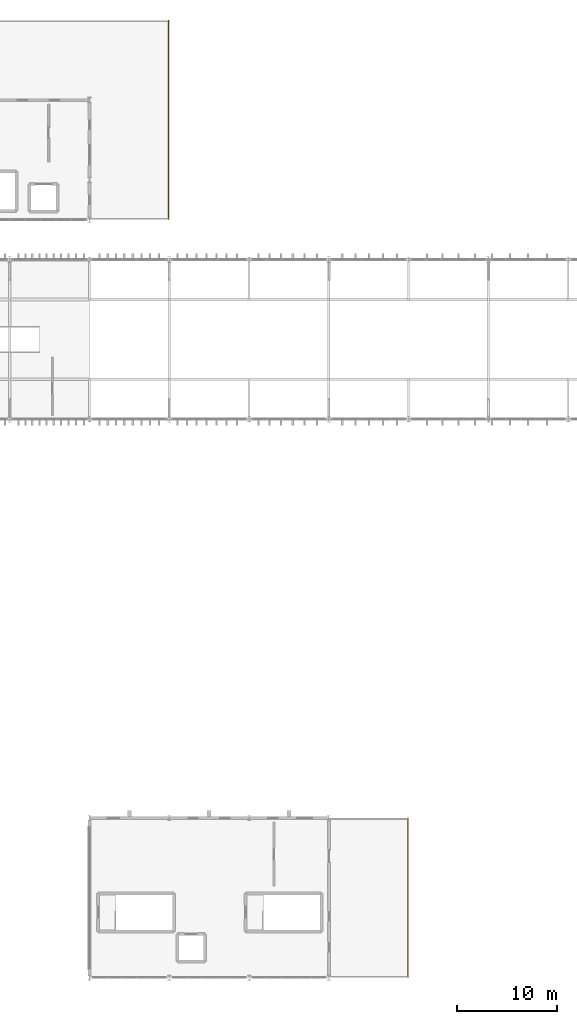
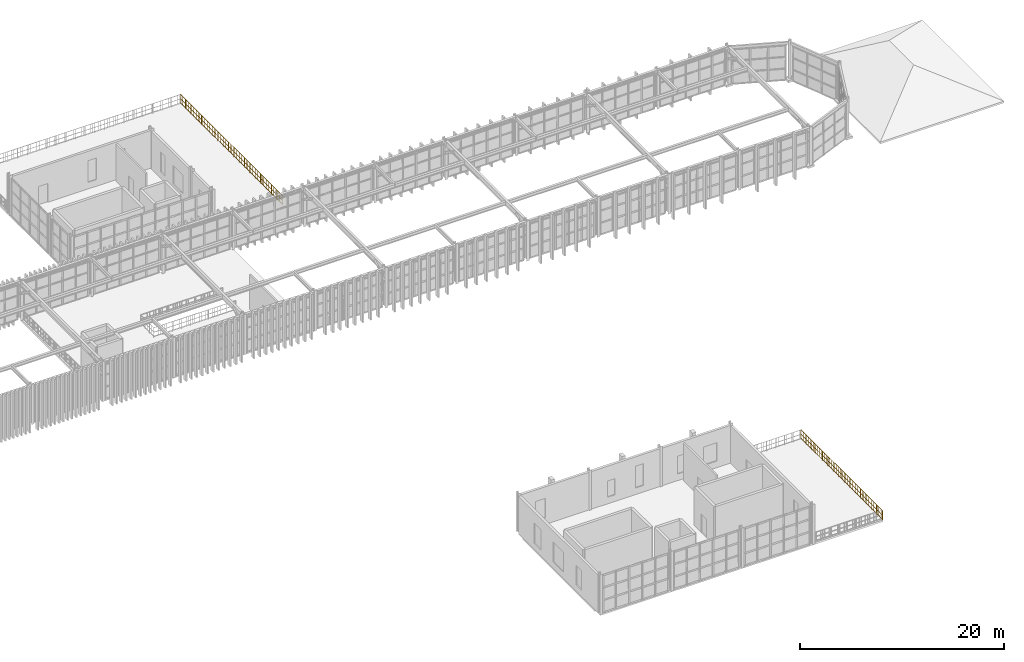
# One storey, part 60 of 61: 2 railings.
"""IFC4 building model written with IfcOpenShell, lengths in metres."""

from ifc_helpers import new_model, si_unit, direction, frame, origin, origin_2d, place, context, subcontext, project, spatial, rectangle, extrude, material, layer, layer_set, type_object, element, save


model = new_model("IFC4")

# Units and contexts
model_context = context("Model", 3, precision=1e-05, world=origin(), true_north=direction((0.0, 1.0)))
body_context = subcontext(model_context, "Body", "Model", "MODEL_VIEW")
ifc_project = project(units=[si_unit("LENGTHUNIT", "METRE"), si_unit("AREAUNIT", "SQUARE_METRE"), si_unit("VOLUMEUNIT", "CUBIC_METRE"), si_unit("PLANEANGLEUNIT", "RADIAN"), si_unit("MASSUNIT", "GRAM", prefix="KILO")], contexts=[model_context])

# Site, building, storey
site_placement = place(None, origin())
site = spatial("IfcSite", under=ifc_project, at=site_placement, CompositionType="ELEMENT")
building_placement = place(site_placement, origin())
building = spatial("IfcBuilding", under=site, at=building_placement, Name="Serraluz Foothill Cableway Terminal", CompositionType="ELEMENT")
storey_placement = place(building_placement, frame((0.0, 0.0, 15.0)))
storey = spatial("IfcBuildingStorey", under=building, at=storey_placement, Name="L03", CompositionType="ELEMENT", Elevation=15.0)

# Railings
ifc_material = material(Name="Steel ASTM A572 Grade 50", Category="steel")
ifc_layer = layer(ifc_material, 0.06005859375, Name="Steel ASTM A572 Grade 50", Category="steel")
ifc_layer_set = layer_set([ifc_layer], Name="Steel ASTM A572 Grade 50")
railing_type = type_object("IfcRailingType", Name="TYP-RL-BAL-1150", PredefinedType="BALUSTRADE", material=ifc_layer_set)
railing_1_placement = place(storey_placement, frame((127.919921875, 0.0, 0.0)))
element("IfcRailing", 1, at=railing_1_placement, inside=storey, type_object=railing_type, Name="BALUSTRADE BAL-TER-L03-V3-2", PredefinedType="BALUSTRADE", context=body_context, shape_type="SweptSolid", body=[
    extrude(rectangle(XDim=0.048095703125, YDim=0.048095703125, at=origin_2d()), frame((0.0, 0.0, 1.1259765625), z_axis=(0.0, 1.0, 0.0), x_axis=(-1.0, 0.0, 0.0)), (0.0, 0.0, 1.0), 16.0),
    extrude(rectangle(XDim=0.048095703125, YDim=0.048095703125, at=origin_2d()), frame((0.0, 0.0, 0.597900390625), z_axis=(0.0, 1.0, 0.0), x_axis=(-1.0, 0.0, 0.0)), (0.0, 0.0, 1.0), 16.0),
    extrude(rectangle(XDim=0.048095703125, YDim=0.048095703125, at=origin_2d()), frame((0.0, 0.0, 0.1201171875), z_axis=(0.0, 1.0, 0.0), x_axis=(-1.0, 0.0, 0.0)), (0.0, 0.0, 1.0), 16.0),
    extrude(rectangle(XDim=0.02001953125, YDim=0.02001953125, at=origin_2d()), frame((0.0, 0.242431640625, 0.1201171875)), (0.0, 0.0, 1.0), 0.981689453125),
    extrude(rectangle(XDim=0.02001953125, YDim=0.02001953125, at=origin_2d()), frame((0.0, 0.48486328125, 0.1201171875)), (0.0, 0.0, 1.0), 0.981689453125),
    extrude(rectangle(XDim=0.02001953125, YDim=0.02001953125, at=origin_2d()), frame((0.0, 0.727294921875, 0.1201171875)), (0.0, 0.0, 1.0), 0.981689453125),
    extrude(rectangle(XDim=0.02001953125, YDim=0.02001953125, at=origin_2d()), frame((0.0, 0.9697265625, 0.1201171875)), (0.0, 0.0, 1.0), 0.981689453125),
    extrude(rectangle(XDim=0.02001953125, YDim=0.02001953125, at=origin_2d()), frame((0.0, 1.212158203125, 0.1201171875)), (0.0, 0.0, 1.0), 0.981689453125),
    extrude(rectangle(XDim=0.02001953125, YDim=0.02001953125, at=origin_2d()), frame((0.0, 1.45458984375, 0.1201171875)), (0.0, 0.0, 1.0), 0.981689453125),
    extrude(rectangle(XDim=0.02001953125, YDim=0.02001953125, at=origin_2d()), frame((0.0, 1.697021484375, 0.1201171875)), (0.0, 0.0, 1.0), 0.981689453125),
    extrude(rectangle(XDim=0.02001953125, YDim=0.02001953125, at=origin_2d()), frame((0.0, 1.939453125, 0.1201171875)), (0.0, 0.0, 1.0), 0.981689453125),
    extrude(rectangle(XDim=0.02001953125, YDim=0.02001953125, at=origin_2d()), frame((0.0, 2.42431640625, 0.1201171875)), (0.0, 0.0, 1.0), 0.981689453125),
    extrude(rectangle(XDim=0.02001953125, YDim=0.02001953125, at=origin_2d()), frame((0.0, 2.666748046875, 0.1201171875)), (0.0, 0.0, 1.0), 0.981689453125),
    extrude(rectangle(XDim=0.02001953125, YDim=0.02001953125, at=origin_2d()), frame((0.0, 2.9091796875, 0.1201171875)), (0.0, 0.0, 1.0), 0.981689453125),
    extrude(rectangle(XDim=0.02001953125, YDim=0.02001953125, at=origin_2d()), frame((0.0, 3.39404296875, 0.1201171875)), (0.0, 0.0, 1.0), 0.981689453125),
    extrude(rectangle(XDim=0.02001953125, YDim=0.02001953125, at=origin_2d()), frame((0.0, 3.636474609375, 0.1201171875)), (0.0, 0.0, 1.0), 0.981689453125),
    extrude(rectangle(XDim=0.02001953125, YDim=0.02001953125, at=origin_2d()), frame((0.0, 3.87890625, 0.1201171875)), (0.0, 0.0, 1.0), 0.981689453125),
    extrude(rectangle(XDim=0.02001953125, YDim=0.02001953125, at=origin_2d()), frame((0.0, 4.12109375, 0.1201171875)), (0.0, 0.0, 1.0), 0.981689453125),
    extrude(rectangle(XDim=0.02001953125, YDim=0.02001953125, at=origin_2d()), frame((0.0, 4.363525390625, 0.1201171875)), (0.0, 0.0, 1.0), 0.981689453125),
    extrude(rectangle(XDim=0.02001953125, YDim=0.02001953125, at=origin_2d()), frame((0.0, 4.60595703125, 0.1201171875)), (0.0, 0.0, 1.0), 0.981689453125),
    extrude(rectangle(XDim=0.02001953125, YDim=0.02001953125, at=origin_2d()), frame((0.0, 4.848388671875, 0.1201171875)), (0.0, 0.0, 1.0), 0.981689453125),
    extrude(rectangle(XDim=0.02001953125, YDim=0.02001953125, at=origin_2d()), frame((0.0, 5.0908203125, 0.1201171875)), (0.0, 0.0, 1.0), 0.981689453125),
    extrude(rectangle(XDim=0.02001953125, YDim=0.02001953125, at=origin_2d()), frame((0.0, 5.57568359375, 0.1201171875)), (0.0, 0.0, 1.0), 0.981689453125),
    extrude(rectangle(XDim=0.02001953125, YDim=0.02001953125, at=origin_2d()), frame((0.0, 5.818115234375, 0.1201171875)), (0.0, 0.0, 1.0), 0.981689453125),
    extrude(rectangle(XDim=0.02001953125, YDim=0.02001953125, at=origin_2d()), frame((0.0, 6.060546875, 0.1201171875)), (0.0, 0.0, 1.0), 0.981689453125),
    extrude(rectangle(XDim=0.02001953125, YDim=0.02001953125, at=origin_2d()), frame((0.0, 6.302978515625, 0.1201171875)), (0.0, 0.0, 1.0), 0.981689453125),
    extrude(rectangle(XDim=0.02001953125, YDim=0.02001953125, at=origin_2d()), frame((0.0, 6.54541015625, 0.1201171875)), (0.0, 0.0, 1.0), 0.981689453125),
    extrude(rectangle(XDim=0.02001953125, YDim=0.02001953125, at=origin_2d()), frame((0.0, 6.787841796875, 0.1201171875)), (0.0, 0.0, 1.0), 0.981689453125),
    extrude(rectangle(XDim=0.02001953125, YDim=0.02001953125, at=origin_2d()), frame((0.0, 7.0302734375, 0.1201171875)), (0.0, 0.0, 1.0), 0.981689453125),
    extrude(rectangle(XDim=0.02001953125, YDim=0.02001953125, at=origin_2d()), frame((0.0, 7.272705078125, 0.1201171875)), (0.0, 0.0, 1.0), 0.981689453125),
    extrude(rectangle(XDim=0.02001953125, YDim=0.02001953125, at=origin_2d()), frame((0.0, 7.757568359375, 0.1201171875)), (0.0, 0.0, 1.0), 0.981689453125),
    extrude(rectangle(XDim=0.02001953125, YDim=0.02001953125, at=origin_2d()), frame((0.0, 8.0, 0.1201171875)), (0.0, 0.0, 1.0), 0.981689453125),
    extrude(rectangle(XDim=0.02001953125, YDim=0.02001953125, at=origin_2d()), frame((0.0, 8.242431640625, 0.1201171875)), (0.0, 0.0, 1.0), 0.981689453125),
    extrude(rectangle(XDim=0.02001953125, YDim=0.02001953125, at=origin_2d()), frame((0.0, 8.727294921875, 0.1201171875)), (0.0, 0.0, 1.0), 0.981689453125),
    extrude(rectangle(XDim=0.02001953125, YDim=0.02001953125, at=origin_2d()), frame((0.0, 8.9697265625, 0.1201171875)), (0.0, 0.0, 1.0), 0.981689453125),
    extrude(rectangle(XDim=0.02001953125, YDim=0.02001953125, at=origin_2d()), frame((0.0, 9.212158203125, 0.1201171875)), (0.0, 0.0, 1.0), 0.981689453125),
    extrude(rectangle(XDim=0.02001953125, YDim=0.02001953125, at=origin_2d()), frame((0.0, 9.45458984375, 0.1201171875)), (0.0, 0.0, 1.0), 0.981689453125),
    extrude(rectangle(XDim=0.02001953125, YDim=0.02001953125, at=origin_2d()), frame((0.0, 9.697021484375, 0.1201171875)), (0.0, 0.0, 1.0), 0.981689453125),
    extrude(rectangle(XDim=0.02001953125, YDim=0.02001953125, at=origin_2d()), frame((0.0, 9.939453125, 0.1201171875)), (0.0, 0.0, 1.0), 0.981689453125),
    extrude(rectangle(XDim=0.02001953125, YDim=0.02001953125, at=origin_2d()), frame((0.0, 10.181884765625, 0.1201171875)), (0.0, 0.0, 1.0), 0.981689453125),
    extrude(rectangle(XDim=0.02001953125, YDim=0.02001953125, at=origin_2d()), frame((0.0, 10.42431640625, 0.1201171875)), (0.0, 0.0, 1.0), 0.981689453125),
    extrude(rectangle(XDim=0.02001953125, YDim=0.02001953125, at=origin_2d()), frame((0.0, 10.9091796875, 0.1201171875)), (0.0, 0.0, 1.0), 0.981689453125),
    extrude(rectangle(XDim=0.02001953125, YDim=0.02001953125, at=origin_2d()), frame((0.0, 11.151611328125, 0.1201171875)), (0.0, 0.0, 1.0), 0.981689453125),
    extrude(rectangle(XDim=0.02001953125, YDim=0.02001953125, at=origin_2d()), frame((0.0, 11.39404296875, 0.1201171875)), (0.0, 0.0, 1.0), 0.981689453125),
    extrude(rectangle(XDim=0.02001953125, YDim=0.02001953125, at=origin_2d()), frame((0.0, 11.636474609375, 0.1201171875)), (0.0, 0.0, 1.0), 0.981689453125),
    extrude(rectangle(XDim=0.02001953125, YDim=0.02001953125, at=origin_2d()), frame((0.0, 11.87890625, 0.1201171875)), (0.0, 0.0, 1.0), 0.981689453125),
    extrude(rectangle(XDim=0.02001953125, YDim=0.02001953125, at=origin_2d()), frame((0.0, 12.12109375, 0.1201171875)), (0.0, 0.0, 1.0), 0.981689453125),
    extrude(rectangle(XDim=0.02001953125, YDim=0.02001953125, at=origin_2d()), frame((0.0, 12.363525390625, 0.1201171875)), (0.0, 0.0, 1.0), 0.981689453125),
    extrude(rectangle(XDim=0.02001953125, YDim=0.02001953125, at=origin_2d()), frame((0.0, 12.60595703125, 0.1201171875)), (0.0, 0.0, 1.0), 0.981689453125),
    extrude(rectangle(XDim=0.02001953125, YDim=0.02001953125, at=origin_2d()), frame((0.0, 13.0908203125, 0.1201171875)), (0.0, 0.0, 1.0), 0.981689453125),
    extrude(rectangle(XDim=0.02001953125, YDim=0.02001953125, at=origin_2d()), frame((0.0, 13.333251953125, 0.1201171875)), (0.0, 0.0, 1.0), 0.981689453125),
    extrude(rectangle(XDim=0.02001953125, YDim=0.02001953125, at=origin_2d()), frame((0.0, 13.57568359375, 0.1201171875)), (0.0, 0.0, 1.0), 0.981689453125),
    extrude(rectangle(XDim=0.02001953125, YDim=0.02001953125, at=origin_2d()), frame((0.0, 14.060546875, 0.1201171875)), (0.0, 0.0, 1.0), 0.981689453125),
    extrude(rectangle(XDim=0.02001953125, YDim=0.02001953125, at=origin_2d()), frame((0.0, 14.302978515625, 0.1201171875)), (0.0, 0.0, 1.0), 0.981689453125),
    extrude(rectangle(XDim=0.02001953125, YDim=0.02001953125, at=origin_2d()), frame((0.0, 14.54541015625, 0.1201171875)), (0.0, 0.0, 1.0), 0.981689453125),
    extrude(rectangle(XDim=0.02001953125, YDim=0.02001953125, at=origin_2d()), frame((0.0, 14.787841796875, 0.1201171875)), (0.0, 0.0, 1.0), 0.981689453125),
    extrude(rectangle(XDim=0.02001953125, YDim=0.02001953125, at=origin_2d()), frame((0.0, 15.0302734375, 0.1201171875)), (0.0, 0.0, 1.0), 0.981689453125),
    extrude(rectangle(XDim=0.02001953125, YDim=0.02001953125, at=origin_2d()), frame((0.0, 15.272705078125, 0.1201171875)), (0.0, 0.0, 1.0), 0.981689453125),
    extrude(rectangle(XDim=0.02001953125, YDim=0.02001953125, at=origin_2d()), frame((0.0, 15.51513671875, 0.1201171875)), (0.0, 0.0, 1.0), 0.981689453125),
    extrude(rectangle(XDim=0.02001953125, YDim=0.02001953125, at=origin_2d()), frame((0.0, 15.757568359375, 0.1201171875)), (0.0, 0.0, 1.0), 0.981689453125),
    extrude(rectangle(XDim=0.0439453125, YDim=0.0439453125, at=origin_2d()), origin(), (0.0, 0.0, 1.0), 1.101806640625),
    extrude(rectangle(XDim=0.0439453125, YDim=0.0439453125, at=origin_2d()), frame((0.0, 1.066650390625, 0.0)), (0.0, 0.0, 1.0), 1.101806640625),
    extrude(rectangle(XDim=0.0439453125, YDim=0.0439453125, at=origin_2d()), frame((0.0, 2.13330078125, 0.0)), (0.0, 0.0, 1.0), 1.101806640625),
    extrude(rectangle(XDim=0.0439453125, YDim=0.0439453125, at=origin_2d()), frame((0.0, 3.199951171875, 0.0)), (0.0, 0.0, 1.0), 1.101806640625),
    extrude(rectangle(XDim=0.0439453125, YDim=0.0439453125, at=origin_2d()), frame((0.0, 4.2666015625, 0.0)), (0.0, 0.0, 1.0), 1.101806640625),
    extrude(rectangle(XDim=0.0439453125, YDim=0.0439453125, at=origin_2d()), frame((0.0, 5.333251953125, 0.0)), (0.0, 0.0, 1.0), 1.101806640625),
    extrude(rectangle(XDim=0.0439453125, YDim=0.0439453125, at=origin_2d()), frame((0.0, 6.39990234375, 0.0)), (0.0, 0.0, 1.0), 1.101806640625),
    extrude(rectangle(XDim=0.0439453125, YDim=0.0439453125, at=origin_2d()), frame((0.0, 7.466552734375, 0.0)), (0.0, 0.0, 1.0), 1.101806640625),
    extrude(rectangle(XDim=0.0439453125, YDim=0.0439453125, at=origin_2d()), frame((0.0, 8.533447265625, 0.0)), (0.0, 0.0, 1.0), 1.101806640625),
    extrude(rectangle(XDim=0.0439453125, YDim=0.0439453125, at=origin_2d()), frame((0.0, 9.60009765625, 0.0)), (0.0, 0.0, 1.0), 1.101806640625),
    extrude(rectangle(XDim=0.0439453125, YDim=0.0439453125, at=origin_2d()), frame((0.0, 10.666748046875, 0.0)), (0.0, 0.0, 1.0), 1.101806640625),
    extrude(rectangle(XDim=0.0439453125, YDim=0.0439453125, at=origin_2d()), frame((0.0, 11.7333984375, 0.0)), (0.0, 0.0, 1.0), 1.101806640625),
    extrude(rectangle(XDim=0.0439453125, YDim=0.0439453125, at=origin_2d()), frame((0.0, 12.800048828125, 0.0)), (0.0, 0.0, 1.0), 1.101806640625),
    extrude(rectangle(XDim=0.0439453125, YDim=0.0439453125, at=origin_2d()), frame((0.0, 13.86669921875, 0.0)), (0.0, 0.0, 1.0), 1.101806640625),
    extrude(rectangle(XDim=0.0439453125, YDim=0.0439453125, at=origin_2d()), frame((0.0, 14.933349609375, 0.0)), (0.0, 0.0, 1.0), 1.101806640625),
    extrude(rectangle(XDim=0.0439453125, YDim=0.0439453125, at=origin_2d()), frame((0.0, 16.0, 0.0)), (0.0, 0.0, 1.0), 1.101806640625),
])
railing_2_placement = place(storey_placement, frame((103.920166015625, 76.0048828125, 0.0)))
element("IfcRailing", 2, at=railing_2_placement, inside=storey, type_object=railing_type, Name="BALUSTRADE BAL-TER-L03-V4-2", PredefinedType="BALUSTRADE", context=body_context, shape_type="SweptSolid", body=[
    extrude(rectangle(XDim=0.048095703125, YDim=0.048095703125, at=origin_2d()), frame((0.0, 0.0, 1.1259765625), z_axis=(0.0, 1.0, 0.0), x_axis=(-1.0, 0.0, 0.0)), (0.0, 0.0, 1.0), 20.0),
    extrude(rectangle(XDim=0.048095703125, YDim=0.048095703125, at=origin_2d()), frame((0.0, 0.0, 0.597900390625), z_axis=(0.0, 1.0, 0.0), x_axis=(-1.0, 0.0, 0.0)), (0.0, 0.0, 1.0), 20.0),
    extrude(rectangle(XDim=0.048095703125, YDim=0.048095703125, at=origin_2d()), frame((0.0, 0.0, 0.1201171875), z_axis=(0.0, 1.0, 0.0), x_axis=(-1.0, 0.0, 0.0)), (0.0, 0.0, 1.0), 20.0),
    extrude(rectangle(XDim=0.02001953125, YDim=0.02001953125, at=origin_2d()), frame((0.0, 0.240966796875, 0.1201171875)), (0.0, 0.0, 1.0), 0.981689453125),
    extrude(rectangle(XDim=0.02001953125, YDim=0.02001953125, at=origin_2d()), frame((0.0, 0.48193359375, 0.1201171875)), (0.0, 0.0, 1.0), 0.981689453125),
    extrude(rectangle(XDim=0.02001953125, YDim=0.02001953125, at=origin_2d()), frame((0.0, 0.722900390625, 0.1201171875)), (0.0, 0.0, 1.0), 0.981689453125),
    extrude(rectangle(XDim=0.02001953125, YDim=0.02001953125, at=origin_2d()), frame((0.0, 0.9638671875, 0.1201171875)), (0.0, 0.0, 1.0), 0.981689453125),
    extrude(rectangle(XDim=0.02001953125, YDim=0.02001953125, at=origin_2d()), frame((0.0, 1.204833984375, 0.1201171875)), (0.0, 0.0, 1.0), 0.981689453125),
    extrude(rectangle(XDim=0.02001953125, YDim=0.02001953125, at=origin_2d()), frame((0.0, 1.44580078125, 0.1201171875)), (0.0, 0.0, 1.0), 0.981689453125),
    extrude(rectangle(XDim=0.02001953125, YDim=0.02001953125, at=origin_2d()), frame((0.0, 1.686767578125, 0.1201171875)), (0.0, 0.0, 1.0), 0.981689453125),
    extrude(rectangle(XDim=0.02001953125, YDim=0.02001953125, at=origin_2d()), frame((0.0, 1.927734375, 0.1201171875)), (0.0, 0.0, 1.0), 0.981689453125),
    extrude(rectangle(XDim=0.02001953125, YDim=0.02001953125, at=origin_2d()), frame((0.0, 2.168701171875, 0.1201171875)), (0.0, 0.0, 1.0), 0.981689453125),
    extrude(rectangle(XDim=0.02001953125, YDim=0.02001953125, at=origin_2d()), frame((0.0, 2.40966796875, 0.1201171875)), (0.0, 0.0, 1.0), 0.981689453125),
    extrude(rectangle(XDim=0.02001953125, YDim=0.02001953125, at=origin_2d()), frame((0.0, 2.650634765625, 0.1201171875)), (0.0, 0.0, 1.0), 0.981689453125),
    extrude(rectangle(XDim=0.02001953125, YDim=0.02001953125, at=origin_2d()), frame((0.0, 2.8916015625, 0.1201171875)), (0.0, 0.0, 1.0), 0.981689453125),
    extrude(rectangle(XDim=0.02001953125, YDim=0.02001953125, at=origin_2d()), frame((0.0, 3.37353515625, 0.1201171875)), (0.0, 0.0, 1.0), 0.981689453125),
    extrude(rectangle(XDim=0.02001953125, YDim=0.02001953125, at=origin_2d()), frame((0.0, 3.614501953125, 0.1201171875)), (0.0, 0.0, 1.0), 0.981689453125),
    extrude(rectangle(XDim=0.02001953125, YDim=0.02001953125, at=origin_2d()), frame((0.0, 3.85546875, 0.1201171875)), (0.0, 0.0, 1.0), 0.981689453125),
    extrude(rectangle(XDim=0.02001953125, YDim=0.02001953125, at=origin_2d()), frame((0.0, 4.096435546875, 0.1201171875)), (0.0, 0.0, 1.0), 0.981689453125),
    extrude(rectangle(XDim=0.02001953125, YDim=0.02001953125, at=origin_2d()), frame((0.0, 4.33740234375, 0.1201171875)), (0.0, 0.0, 1.0), 0.981689453125),
    extrude(rectangle(XDim=0.02001953125, YDim=0.02001953125, at=origin_2d()), frame((0.0, 4.578369140625, 0.1201171875)), (0.0, 0.0, 1.0), 0.981689453125),
    extrude(rectangle(XDim=0.02001953125, YDim=0.02001953125, at=origin_2d()), frame((0.0, 4.8193359375, 0.1201171875)), (0.0, 0.0, 1.0), 0.981689453125),
    extrude(rectangle(XDim=0.02001953125, YDim=0.02001953125, at=origin_2d()), frame((0.0, 5.060302734375, 0.1201171875)), (0.0, 0.0, 1.0), 0.981689453125),
    extrude(rectangle(XDim=0.02001953125, YDim=0.02001953125, at=origin_2d()), frame((0.0, 5.542236328125, 0.1201171875)), (0.0, 0.0, 1.0), 0.981689453125),
    extrude(rectangle(XDim=0.02001953125, YDim=0.02001953125, at=origin_2d()), frame((0.0, 5.783203125, 0.1201171875)), (0.0, 0.0, 1.0), 0.981689453125),
    extrude(rectangle(XDim=0.02001953125, YDim=0.02001953125, at=origin_2d()), frame((0.0, 6.024169921875, 0.1201171875)), (0.0, 0.0, 1.0), 0.981689453125),
    extrude(rectangle(XDim=0.02001953125, YDim=0.02001953125, at=origin_2d()), frame((0.0, 6.506103515625, 0.1201171875)), (0.0, 0.0, 1.0), 0.981689453125),
    extrude(rectangle(XDim=0.02001953125, YDim=0.02001953125, at=origin_2d()), frame((0.0, 6.7470703125, 0.1201171875)), (0.0, 0.0, 1.0), 0.981689453125),
    extrude(rectangle(XDim=0.02001953125, YDim=0.02001953125, at=origin_2d()), frame((0.0, 6.988037109375, 0.1201171875)), (0.0, 0.0, 1.0), 0.981689453125),
    extrude(rectangle(XDim=0.02001953125, YDim=0.02001953125, at=origin_2d()), frame((0.0, 7.22900390625, 0.1201171875)), (0.0, 0.0, 1.0), 0.981689453125),
    extrude(rectangle(XDim=0.02001953125, YDim=0.02001953125, at=origin_2d()), frame((0.0, 7.469970703125, 0.1201171875)), (0.0, 0.0, 1.0), 0.981689453125),
    extrude(rectangle(XDim=0.02001953125, YDim=0.02001953125, at=origin_2d()), frame((0.0, 7.7109375, 0.1201171875)), (0.0, 0.0, 1.0), 0.981689453125),
    extrude(rectangle(XDim=0.02001953125, YDim=0.02001953125, at=origin_2d()), frame((0.0, 7.951904296875, 0.1201171875)), (0.0, 0.0, 1.0), 0.981689453125),
    extrude(rectangle(XDim=0.02001953125, YDim=0.02001953125, at=origin_2d()), frame((0.0, 8.19287109375, 0.1201171875)), (0.0, 0.0, 1.0), 0.981689453125),
    extrude(rectangle(XDim=0.02001953125, YDim=0.02001953125, at=origin_2d()), frame((0.0, 8.6748046875, 0.1201171875)), (0.0, 0.0, 1.0), 0.981689453125),
    extrude(rectangle(XDim=0.02001953125, YDim=0.02001953125, at=origin_2d()), frame((0.0, 8.915771484375, 0.1201171875)), (0.0, 0.0, 1.0), 0.981689453125),
    extrude(rectangle(XDim=0.02001953125, YDim=0.02001953125, at=origin_2d()), frame((0.0, 9.15673828125, 0.1201171875)), (0.0, 0.0, 1.0), 0.981689453125),
    extrude(rectangle(XDim=0.02001953125, YDim=0.02001953125, at=origin_2d()), frame((0.0, 9.397705078125, 0.1201171875)), (0.0, 0.0, 1.0), 0.981689453125),
    extrude(rectangle(XDim=0.02001953125, YDim=0.02001953125, at=origin_2d()), frame((0.0, 9.638671875, 0.1201171875)), (0.0, 0.0, 1.0), 0.981689453125),
    extrude(rectangle(XDim=0.02001953125, YDim=0.02001953125, at=origin_2d()), frame((0.0, 9.879638671875, 0.1201171875)), (0.0, 0.0, 1.0), 0.981689453125),
    extrude(rectangle(XDim=0.02001953125, YDim=0.02001953125, at=origin_2d()), frame((0.0, 10.120361328125, 0.1201171875)), (0.0, 0.0, 1.0), 0.981689453125),
    extrude(rectangle(XDim=0.02001953125, YDim=0.02001953125, at=origin_2d()), frame((0.0, 10.361328125, 0.1201171875)), (0.0, 0.0, 1.0), 0.981689453125),
    extrude(rectangle(XDim=0.02001953125, YDim=0.02001953125, at=origin_2d()), frame((0.0, 10.602294921875, 0.1201171875)), (0.0, 0.0, 1.0), 0.981689453125),
    extrude(rectangle(XDim=0.02001953125, YDim=0.02001953125, at=origin_2d()), frame((0.0, 10.84326171875, 0.1201171875)), (0.0, 0.0, 1.0), 0.981689453125),
    extrude(rectangle(XDim=0.02001953125, YDim=0.02001953125, at=origin_2d()), frame((0.0, 11.084228515625, 0.1201171875)), (0.0, 0.0, 1.0), 0.981689453125),
    extrude(rectangle(XDim=0.02001953125, YDim=0.02001953125, at=origin_2d()), frame((0.0, 11.3251953125, 0.1201171875)), (0.0, 0.0, 1.0), 0.981689453125),
    extrude(rectangle(XDim=0.02001953125, YDim=0.02001953125, at=origin_2d()), frame((0.0, 11.80712890625, 0.1201171875)), (0.0, 0.0, 1.0), 0.981689453125),
    extrude(rectangle(XDim=0.02001953125, YDim=0.02001953125, at=origin_2d()), frame((0.0, 12.048095703125, 0.1201171875)), (0.0, 0.0, 1.0), 0.981689453125),
    extrude(rectangle(XDim=0.02001953125, YDim=0.02001953125, at=origin_2d()), frame((0.0, 12.2890625, 0.1201171875)), (0.0, 0.0, 1.0), 0.981689453125),
    extrude(rectangle(XDim=0.02001953125, YDim=0.02001953125, at=origin_2d()), frame((0.0, 12.530029296875, 0.1201171875)), (0.0, 0.0, 1.0), 0.981689453125),
    extrude(rectangle(XDim=0.02001953125, YDim=0.02001953125, at=origin_2d()), frame((0.0, 12.77099609375, 0.1201171875)), (0.0, 0.0, 1.0), 0.981689453125),
    extrude(rectangle(XDim=0.02001953125, YDim=0.02001953125, at=origin_2d()), frame((0.0, 13.011962890625, 0.1201171875)), (0.0, 0.0, 1.0), 0.981689453125),
    extrude(rectangle(XDim=0.02001953125, YDim=0.02001953125, at=origin_2d()), frame((0.0, 13.2529296875, 0.1201171875)), (0.0, 0.0, 1.0), 0.981689453125),
    extrude(rectangle(XDim=0.02001953125, YDim=0.02001953125, at=origin_2d()), frame((0.0, 13.493896484375, 0.1201171875)), (0.0, 0.0, 1.0), 0.981689453125),
    extrude(rectangle(XDim=0.02001953125, YDim=0.02001953125, at=origin_2d()), frame((0.0, 13.975830078125, 0.1201171875)), (0.0, 0.0, 1.0), 0.981689453125),
    extrude(rectangle(XDim=0.02001953125, YDim=0.02001953125, at=origin_2d()), frame((0.0, 14.216796875, 0.1201171875)), (0.0, 0.0, 1.0), 0.981689453125),
    extrude(rectangle(XDim=0.02001953125, YDim=0.02001953125, at=origin_2d()), frame((0.0, 14.457763671875, 0.1201171875)), (0.0, 0.0, 1.0), 0.981689453125),
    extrude(rectangle(XDim=0.02001953125, YDim=0.02001953125, at=origin_2d()), frame((0.0, 14.939697265625, 0.1201171875)), (0.0, 0.0, 1.0), 0.981689453125),
    extrude(rectangle(XDim=0.02001953125, YDim=0.02001953125, at=origin_2d()), frame((0.0, 15.1806640625, 0.1201171875)), (0.0, 0.0, 1.0), 0.981689453125),
    extrude(rectangle(XDim=0.02001953125, YDim=0.02001953125, at=origin_2d()), frame((0.0, 15.421630859375, 0.1201171875)), (0.0, 0.0, 1.0), 0.981689453125),
    extrude(rectangle(XDim=0.02001953125, YDim=0.02001953125, at=origin_2d()), frame((0.0, 15.66259765625, 0.1201171875)), (0.0, 0.0, 1.0), 0.981689453125),
    extrude(rectangle(XDim=0.02001953125, YDim=0.02001953125, at=origin_2d()), frame((0.0, 15.903564453125, 0.1201171875)), (0.0, 0.0, 1.0), 0.981689453125),
    extrude(rectangle(XDim=0.02001953125, YDim=0.02001953125, at=origin_2d()), frame((0.0, 16.14453125, 0.1201171875)), (0.0, 0.0, 1.0), 0.981689453125),
    extrude(rectangle(XDim=0.02001953125, YDim=0.02001953125, at=origin_2d()), frame((0.0, 16.385498046875, 0.1201171875)), (0.0, 0.0, 1.0), 0.981689453125),
    extrude(rectangle(XDim=0.02001953125, YDim=0.02001953125, at=origin_2d()), frame((0.0, 16.62646484375, 0.1201171875)), (0.0, 0.0, 1.0), 0.981689453125),
    extrude(rectangle(XDim=0.02001953125, YDim=0.02001953125, at=origin_2d()), frame((0.0, 17.1083984375, 0.1201171875)), (0.0, 0.0, 1.0), 0.981689453125),
    extrude(rectangle(XDim=0.02001953125, YDim=0.02001953125, at=origin_2d()), frame((0.0, 17.349365234375, 0.1201171875)), (0.0, 0.0, 1.0), 0.981689453125),
    extrude(rectangle(XDim=0.02001953125, YDim=0.02001953125, at=origin_2d()), frame((0.0, 17.59033203125, 0.1201171875)), (0.0, 0.0, 1.0), 0.981689453125),
    extrude(rectangle(XDim=0.02001953125, YDim=0.02001953125, at=origin_2d()), frame((0.0, 17.831298828125, 0.1201171875)), (0.0, 0.0, 1.0), 0.981689453125),
    extrude(rectangle(XDim=0.02001953125, YDim=0.02001953125, at=origin_2d()), frame((0.0, 18.072265625, 0.1201171875)), (0.0, 0.0, 1.0), 0.981689453125),
    extrude(rectangle(XDim=0.02001953125, YDim=0.02001953125, at=origin_2d()), frame((0.0, 18.313232421875, 0.1201171875)), (0.0, 0.0, 1.0), 0.981689453125),
    extrude(rectangle(XDim=0.02001953125, YDim=0.02001953125, at=origin_2d()), frame((0.0, 18.55419921875, 0.1201171875)), (0.0, 0.0, 1.0), 0.981689453125),
    extrude(rectangle(XDim=0.02001953125, YDim=0.02001953125, at=origin_2d()), frame((0.0, 18.795166015625, 0.1201171875)), (0.0, 0.0, 1.0), 0.981689453125),
    extrude(rectangle(XDim=0.02001953125, YDim=0.02001953125, at=origin_2d()), frame((0.0, 19.0361328125, 0.1201171875)), (0.0, 0.0, 1.0), 0.981689453125),
    extrude(rectangle(XDim=0.02001953125, YDim=0.02001953125, at=origin_2d()), frame((0.0, 19.277099609375, 0.1201171875)), (0.0, 0.0, 1.0), 0.981689453125),
    extrude(rectangle(XDim=0.02001953125, YDim=0.02001953125, at=origin_2d()), frame((0.0, 19.51806640625, 0.1201171875)), (0.0, 0.0, 1.0), 0.981689453125),
    extrude(rectangle(XDim=0.02001953125, YDim=0.02001953125, at=origin_2d()), frame((0.0, 19.759033203125, 0.1201171875)), (0.0, 0.0, 1.0), 0.981689453125),
    extrude(rectangle(XDim=0.0439453125, YDim=0.0439453125, at=origin_2d()), origin(), (0.0, 0.0, 1.0), 1.101806640625),
    extrude(rectangle(XDim=0.0439453125, YDim=0.0439453125, at=origin_2d()), frame((0.0, 1.052734375, 0.0)), (0.0, 0.0, 1.0), 1.101806640625),
    extrude(rectangle(XDim=0.0439453125, YDim=0.0439453125, at=origin_2d()), frame((0.0, 2.105224609375, 0.0)), (0.0, 0.0, 1.0), 1.101806640625),
    extrude(rectangle(XDim=0.0439453125, YDim=0.0439453125, at=origin_2d()), frame((0.0, 3.157958984375, 0.0)), (0.0, 0.0, 1.0), 1.101806640625),
    extrude(rectangle(XDim=0.0439453125, YDim=0.0439453125, at=origin_2d()), frame((0.0, 4.21044921875, 0.0)), (0.0, 0.0, 1.0), 1.101806640625),
    extrude(rectangle(XDim=0.0439453125, YDim=0.0439453125, at=origin_2d()), frame((0.0, 5.26318359375, 0.0)), (0.0, 0.0, 1.0), 1.101806640625),
    extrude(rectangle(XDim=0.0439453125, YDim=0.0439453125, at=origin_2d()), frame((0.0, 6.315673828125, 0.0)), (0.0, 0.0, 1.0), 1.101806640625),
    extrude(rectangle(XDim=0.0439453125, YDim=0.0439453125, at=origin_2d()), frame((0.0, 7.368408203125, 0.0)), (0.0, 0.0, 1.0), 1.101806640625),
    extrude(rectangle(XDim=0.0439453125, YDim=0.0439453125, at=origin_2d()), frame((0.0, 8.421142578125, 0.0)), (0.0, 0.0, 1.0), 1.101806640625),
    extrude(rectangle(XDim=0.0439453125, YDim=0.0439453125, at=origin_2d()), frame((0.0, 9.4736328125, 0.0)), (0.0, 0.0, 1.0), 1.101806640625),
    extrude(rectangle(XDim=0.0439453125, YDim=0.0439453125, at=origin_2d()), frame((0.0, 10.5263671875, 0.0)), (0.0, 0.0, 1.0), 1.101806640625),
    extrude(rectangle(XDim=0.0439453125, YDim=0.0439453125, at=origin_2d()), frame((0.0, 11.578857421875, 0.0)), (0.0, 0.0, 1.0), 1.101806640625),
    extrude(rectangle(XDim=0.0439453125, YDim=0.0439453125, at=origin_2d()), frame((0.0, 12.631591796875, 0.0)), (0.0, 0.0, 1.0), 1.101806640625),
    extrude(rectangle(XDim=0.0439453125, YDim=0.0439453125, at=origin_2d()), frame((0.0, 13.684326171875, 0.0)), (0.0, 0.0, 1.0), 1.101806640625),
    extrude(rectangle(XDim=0.0439453125, YDim=0.0439453125, at=origin_2d()), frame((0.0, 14.73681640625, 0.0)), (0.0, 0.0, 1.0), 1.101806640625),
    extrude(rectangle(XDim=0.0439453125, YDim=0.0439453125, at=origin_2d()), frame((0.0, 15.78955078125, 0.0)), (0.0, 0.0, 1.0), 1.101806640625),
    extrude(rectangle(XDim=0.0439453125, YDim=0.0439453125, at=origin_2d()), frame((0.0, 16.842041015625, 0.0)), (0.0, 0.0, 1.0), 1.101806640625),
    extrude(rectangle(XDim=0.0439453125, YDim=0.0439453125, at=origin_2d()), frame((0.0, 17.894775390625, 0.0)), (0.0, 0.0, 1.0), 1.101806640625),
    extrude(rectangle(XDim=0.0439453125, YDim=0.0439453125, at=origin_2d()), frame((0.0, 18.947265625, 0.0)), (0.0, 0.0, 1.0), 1.101806640625),
    extrude(rectangle(XDim=0.0439453125, YDim=0.0439453125, at=origin_2d()), frame((0.0, 20.0, 0.0)), (0.0, 0.0, 1.0), 1.101806640625),
])

save(model, "model.ifc")
